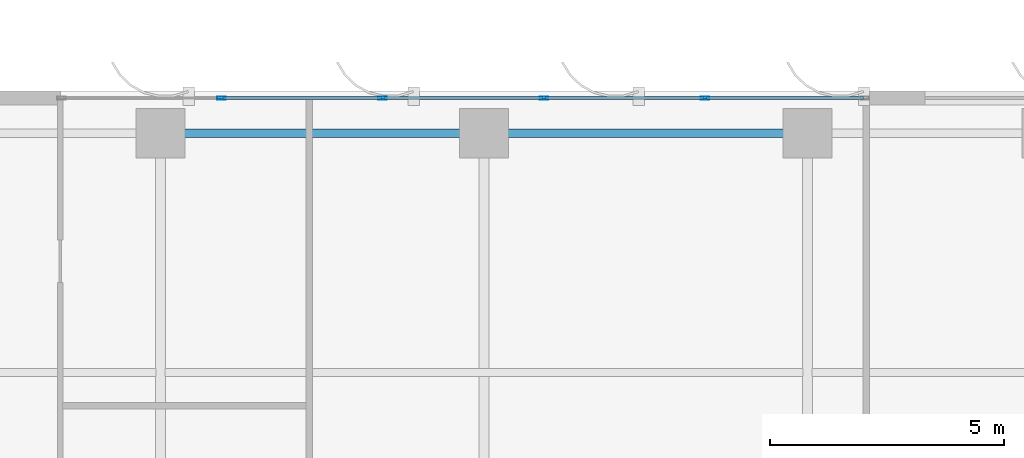
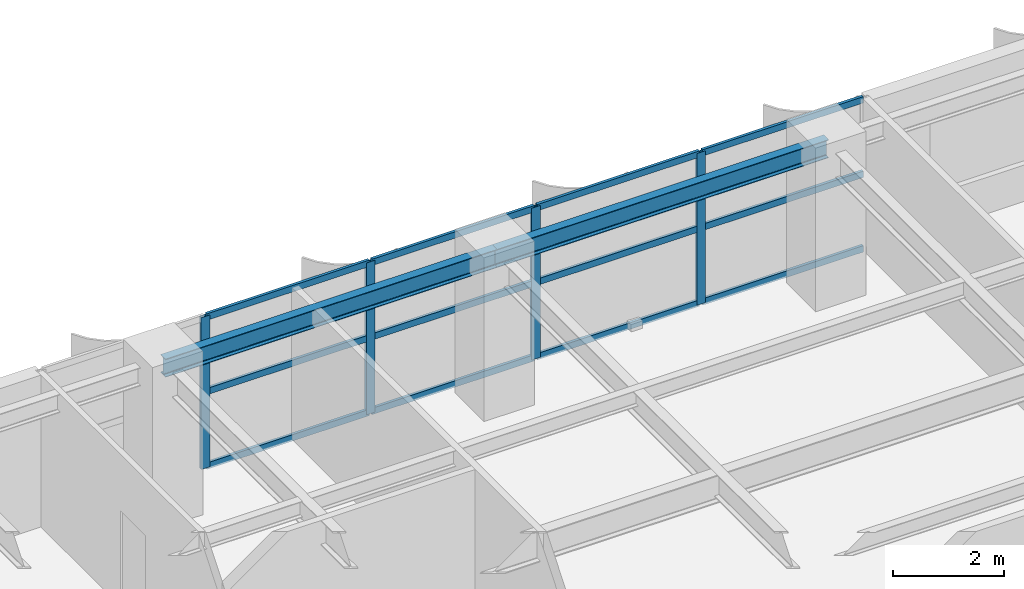
# One storey, part 16 of 26: 16 members, 2 beams, 1 element without a shape of its own.
"""IFC4 building model written with IfcOpenShell, lengths in metres."""

from ifc_helpers import new_model, si_unit, direction, frame, origin, origin_2d, place, context, subcontext, project, spatial, hollow_rectangle, i_section, extrude, source, transform, mapped, material, layer, layer_set, material_profile, profile_set, type_object, element, aggregate, save


model = new_model("IFC4")

# Units and contexts
model_context = context("Model", 3, precision=1e-05, world=origin(), true_north=direction((0.0, 1.0)))
body_context = subcontext(model_context, "Body", "Model", "MODEL_VIEW")
ifc_project = project(units=[si_unit("LENGTHUNIT", "METRE"), si_unit("AREAUNIT", "SQUARE_METRE"), si_unit("VOLUMEUNIT", "CUBIC_METRE"), si_unit("PLANEANGLEUNIT", "RADIAN"), si_unit("MASSUNIT", "GRAM", prefix="KILO")], contexts=[model_context])

# Site, building, storey
site_placement = place(None, origin())
site = spatial("IfcSite", under=ifc_project, at=site_placement, CompositionType="ELEMENT")
building_placement = place(site_placement, origin())
building = spatial("IfcBuilding", under=site, at=building_placement, Name="Khoralis Quay Care Tower", CompositionType="ELEMENT")
storey_placement = place(building_placement, frame((0.0, 0.0, 126.89990234375)))
storey = spatial("IfcBuildingStorey", under=building, at=storey_placement, Name="L33", CompositionType="ELEMENT", Elevation=126.89990234375)

# Beams
ifc_material_1 = material(Name="Steel S355", Category="steel")
ifc_material_profile_1 = material_profile(ifc_material_1, i_section(OverallWidth=0.179931640625, OverallDepth=0.39990234375, WebThickness=0.008544921875, FlangeThickness=0.013427734375, FilletRadius=0.02099609375, at=origin_2d()), Name="Steel S355")
ifc_profile_set_1 = profile_set([ifc_material_profile_1], Name="Steel S355")
beam_type = type_object("IfcBeamType", Name="BM-IPE400", PredefinedType="SPANDREL", material=ifc_profile_set_1)
shared_shape_1 = source(origin(), body_context, "Body", "SweptSolid", [
    extrude(i_section(OverallWidth=0.179931640625, OverallDepth=0.39990234375, WebThickness=0.008544921875, FlangeThickness=0.013427734375, FilletRadius=0.02099609375, at=origin_2d()), origin(), (0.0, 0.0, 1.0), 6.89990234375),
])
for number, where, z_axis, x_axis, name in (
    (1, (17.10009765625, 44.10009765625, 3.14013671875), (1.0, 0.0, 0.0), (0.0, 1.0, 0.0), "BM-TSP-L33-08"),
    (2, (24.0, 44.10009765625, 3.14013671875), (1.0, 0.0, 0.0), (0.0, 1.0, 0.0), "BM-TSP-L33-09"),
):
    element("IfcBeam", number, at=place(storey_placement, frame(where, z_axis=z_axis, x_axis=x_axis)), inside=storey, type_object=beam_type, Name=name, PredefinedType="SPANDREL", context=body_context, shape_type="MappedRepresentation", body=[
        mapped(shared_shape_1, transform((0.0, 0.0, 0.0), scale=1.0)),
    ])

# Curtain wall, members
ifc_material_2 = material(Name="Pale anodised aluminium", Category="aluminium")
ifc_layer = layer(ifc_material_2, 0.169921875)
ifc_layer_set = layer_set([ifc_layer], Name="Pale anodised aluminium")
curtain_wall_type = type_object("IfcCurtainWallType", Name="CW-SYS-Z2", PredefinedType="NOTDEFINED", material=ifc_layer_set)
curtain_wall_placement = place(storey_placement, origin())
curtain_wall = element("IfcCurtainWall", 3, at=curtain_wall_placement, inside=storey, type_object=curtain_wall_type, Name="L33 Unitised Curtain Wall CW-L33-P1-E10", PredefinedType="NOTDEFINED")
ifc_material_profile_2 = material_profile(ifc_material_2, hollow_rectangle(XDim=0.06494140625, YDim=0.179931640625, WallThickness=0.00390625, at=origin_2d()), Name="Pale anodised aluminium")
ifc_profile_set_2 = profile_set([ifc_material_profile_2], Name="Pale anodised aluminium")
member_type_1 = type_object("IfcMemberType", Name="CW-MUL-180", PredefinedType="MULLION", material=ifc_profile_set_2)
shared_shape_2 = source(origin(), body_context, "Body", "SweptSolid", [
    extrude(hollow_rectangle(XDim=0.06494140625, YDim=0.179931640625, WallThickness=0.00390625, at=origin_2d()), origin(), (0.0, 0.0, 1.0), 3.340087890625),
])
member_1_placement = place(storey_placement, frame((28.712158203125, 44.85009765625, 0.0), z_axis=(0.0, 0.0, 1.0), x_axis=(0.0, -1.0, 0.0)))
member_1 = element("IfcMember", 4, at=member_1_placement, type_object=member_type_1, Name="CW2 mullion 2", PredefinedType="MULLION", context=body_context, shape_type="MappedRepresentation", body=[
    mapped(shared_shape_2, transform((0.0, 0.0, 0.0), scale=1.0)),
])
member_2_placement = place(storey_placement, frame((25.2744140625, 44.85009765625, 0.0), z_axis=(0.0, 0.0, 1.0), x_axis=(0.0, -1.0, 0.0)))
member_2 = element("IfcMember", 5, at=member_2_placement, type_object=member_type_1, Name="CW2 mullion 3", PredefinedType="MULLION", context=body_context, shape_type="MappedRepresentation", body=[
    mapped(shared_shape_2, transform((0.0, 0.0, 0.0), scale=1.0)),
])
member_3_placement = place(storey_placement, frame((21.836669921875, 44.85009765625, 0.0), z_axis=(0.0, 0.0, 1.0), x_axis=(0.0, -1.0, 0.0)))
member_3 = element("IfcMember", 6, at=member_3_placement, type_object=member_type_1, Name="CW2 mullion 4", PredefinedType="MULLION", context=body_context, shape_type="MappedRepresentation", body=[
    mapped(shared_shape_2, transform((0.0, 0.0, 0.0), scale=1.0)),
])
member_4_placement = place(storey_placement, frame((18.398681640625, 44.85009765625, 0.0), z_axis=(0.0, 0.0, 1.0), x_axis=(0.0, -1.0, 0.0)))
member_4 = element("IfcMember", 7, at=member_4_placement, type_object=member_type_1, Name="CW2 mullion 5", PredefinedType="MULLION", context=body_context, shape_type="MappedRepresentation", body=[
    mapped(shared_shape_2, transform((0.0, 0.0, 0.0), scale=1.0)),
])
ifc_material_profile_3 = material_profile(ifc_material_2, hollow_rectangle(XDim=0.06005859375, YDim=0.139892578125, WallThickness=0.00390625, at=origin_2d()), Name="Pale anodised aluminium")
ifc_profile_set_3 = profile_set([ifc_material_profile_3], Name="Pale anodised aluminium")
member_type_2 = type_object("IfcMemberType", Name="CW-TRN-140", PredefinedType="USERDEFINED", material=ifc_profile_set_3)
shared_shape_3 = source(origin(), body_context, "Body", "SweptSolid", [
    extrude(hollow_rectangle(XDim=0.06005859375, YDim=0.139892578125, WallThickness=0.00390625, at=origin_2d()), origin(), (0.0, 0.0, 1.0), 3.347900390625),
])
member_5_placement = place(storey_placement, frame((32.090087890625, 44.85009765625, 0.030029296875), z_axis=(-1.0, 0.0, 0.0), x_axis=(0.0, -1.0, 0.0)))
member_5 = element("IfcMember", 8, at=member_5_placement, type_object=member_type_2, Name="CW2 transom 1.1", ObjectType="TRANSOM", PredefinedType="USERDEFINED", context=body_context, shape_type="MappedRepresentation", body=[
    mapped(shared_shape_3, transform((0.0, 0.0, 0.0), scale=1.0)),
])
member_6_placement = place(storey_placement, frame((32.090087890625, 44.85009765625, 1.670166015625), z_axis=(-1.0, 0.0, 0.0), x_axis=(0.0, -1.0, 0.0)))
member_6 = element("IfcMember", 9, at=member_6_placement, type_object=member_type_2, Name="CW2 transom 1.2", ObjectType="TRANSOM", PredefinedType="USERDEFINED", context=body_context, shape_type="MappedRepresentation", body=[
    mapped(shared_shape_3, transform((0.0, 0.0, 0.0), scale=1.0)),
])
member_7_placement = place(storey_placement, frame((32.090087890625, 44.85009765625, 3.31005859375), z_axis=(-1.0, 0.0, 0.0), x_axis=(0.0, -1.0, 0.0)))
member_7 = element("IfcMember", 10, at=member_7_placement, type_object=member_type_2, Name="CW2 transom 1.3", ObjectType="TRANSOM", PredefinedType="USERDEFINED", context=body_context, shape_type="MappedRepresentation", body=[
    mapped(shared_shape_3, transform((0.0, 0.0, 0.0), scale=1.0)),
])
shared_shape_4 = source(origin(), body_context, "Body", "SweptSolid", [
    extrude(hollow_rectangle(XDim=0.06005859375, YDim=0.139892578125, WallThickness=0.00390625, at=origin_2d()), origin(), (0.0, 0.0, 1.0), 3.3779296875),
])
member_8_placement = place(storey_placement, frame((21.806640625, 44.85009765625, 0.030029296875), z_axis=(-1.0, 0.0, 0.0), x_axis=(0.0, -1.0, 0.0)))
member_8 = element("IfcMember", 11, at=member_8_placement, type_object=member_type_2, Name="CW2 transom 4.1", ObjectType="TRANSOM", PredefinedType="USERDEFINED", context=body_context, shape_type="MappedRepresentation", body=[
    mapped(shared_shape_4, transform((0.0, 0.0, 0.0), scale=1.0)),
])
member_9_placement = place(storey_placement, frame((21.806640625, 44.85009765625, 1.670166015625), z_axis=(-1.0, 0.0, 0.0), x_axis=(0.0, -1.0, 0.0)))
member_9 = element("IfcMember", 12, at=member_9_placement, type_object=member_type_2, Name="CW2 transom 4.2", ObjectType="TRANSOM", PredefinedType="USERDEFINED", context=body_context, shape_type="MappedRepresentation", body=[
    mapped(shared_shape_4, transform((0.0, 0.0, 0.0), scale=1.0)),
])
member_10_placement = place(storey_placement, frame((21.806640625, 44.85009765625, 3.31005859375), z_axis=(-1.0, 0.0, 0.0), x_axis=(0.0, -1.0, 0.0)))
member_10 = element("IfcMember", 13, at=member_10_placement, type_object=member_type_2, Name="CW2 transom 4.3", ObjectType="TRANSOM", PredefinedType="USERDEFINED", context=body_context, shape_type="MappedRepresentation", body=[
    mapped(shared_shape_4, transform((0.0, 0.0, 0.0), scale=1.0)),
])
shared_shape_5 = source(origin(), body_context, "Body", "SweptSolid", [
    extrude(hollow_rectangle(XDim=0.06005859375, YDim=0.139892578125, WallThickness=0.00390625, at=origin_2d()), origin(), (0.0, 0.0, 1.0), 3.377685546875),
])
member_11_placement = place(storey_placement, frame((28.68212890625, 44.85009765625, 0.030029296875), z_axis=(-1.0, 0.0, 0.0), x_axis=(0.0, -1.0, 0.0)))
member_11 = element("IfcMember", 14, at=member_11_placement, type_object=member_type_2, Name="CW2 transom 2.1", ObjectType="TRANSOM", PredefinedType="USERDEFINED", context=body_context, shape_type="MappedRepresentation", body=[
    mapped(shared_shape_5, transform((0.0, 0.0, 0.0), scale=1.0)),
])
member_12_placement = place(storey_placement, frame((28.68212890625, 44.85009765625, 1.670166015625), z_axis=(-1.0, 0.0, 0.0), x_axis=(0.0, -1.0, 0.0)))
member_12 = element("IfcMember", 15, at=member_12_placement, type_object=member_type_2, Name="CW2 transom 2.2", ObjectType="TRANSOM", PredefinedType="USERDEFINED", context=body_context, shape_type="MappedRepresentation", body=[
    mapped(shared_shape_5, transform((0.0, 0.0, 0.0), scale=1.0)),
])
member_13_placement = place(storey_placement, frame((28.68212890625, 44.85009765625, 3.31005859375), z_axis=(-1.0, 0.0, 0.0), x_axis=(0.0, -1.0, 0.0)))
member_13 = element("IfcMember", 16, at=member_13_placement, type_object=member_type_2, Name="CW2 transom 2.3", ObjectType="TRANSOM", PredefinedType="USERDEFINED", context=body_context, shape_type="MappedRepresentation", body=[
    mapped(shared_shape_5, transform((0.0, 0.0, 0.0), scale=1.0)),
])
member_14_placement = place(storey_placement, frame((25.244384765625, 44.85009765625, 0.030029296875), z_axis=(-1.0, 0.0, 0.0), x_axis=(0.0, -1.0, 0.0)))
member_14 = element("IfcMember", 17, at=member_14_placement, type_object=member_type_2, Name="CW2 transom 3.1", ObjectType="TRANSOM", PredefinedType="USERDEFINED", context=body_context, shape_type="MappedRepresentation", body=[
    mapped(shared_shape_5, transform((0.0, 0.0, 0.0), scale=1.0)),
])
member_15_placement = place(storey_placement, frame((25.244384765625, 44.85009765625, 1.670166015625), z_axis=(-1.0, 0.0, 0.0), x_axis=(0.0, -1.0, 0.0)))
member_15 = element("IfcMember", 18, at=member_15_placement, type_object=member_type_2, Name="CW2 transom 3.2", ObjectType="TRANSOM", PredefinedType="USERDEFINED", context=body_context, shape_type="MappedRepresentation", body=[
    mapped(shared_shape_5, transform((0.0, 0.0, 0.0), scale=1.0)),
])
member_16_placement = place(storey_placement, frame((25.244384765625, 44.85009765625, 3.31005859375), z_axis=(-1.0, 0.0, 0.0), x_axis=(0.0, -1.0, 0.0)))
member_16 = element("IfcMember", 19, at=member_16_placement, type_object=member_type_2, Name="CW2 transom 3.3", ObjectType="TRANSOM", PredefinedType="USERDEFINED", context=body_context, shape_type="MappedRepresentation", body=[
    mapped(shared_shape_5, transform((0.0, 0.0, 0.0), scale=1.0)),
])
aggregate(curtain_wall, [member_1, member_2, member_3, member_4, member_5, member_6, member_7, member_11, member_12, member_13, member_14, member_15, member_16, member_8, member_9, member_10])

save(model, "model.ifc")
